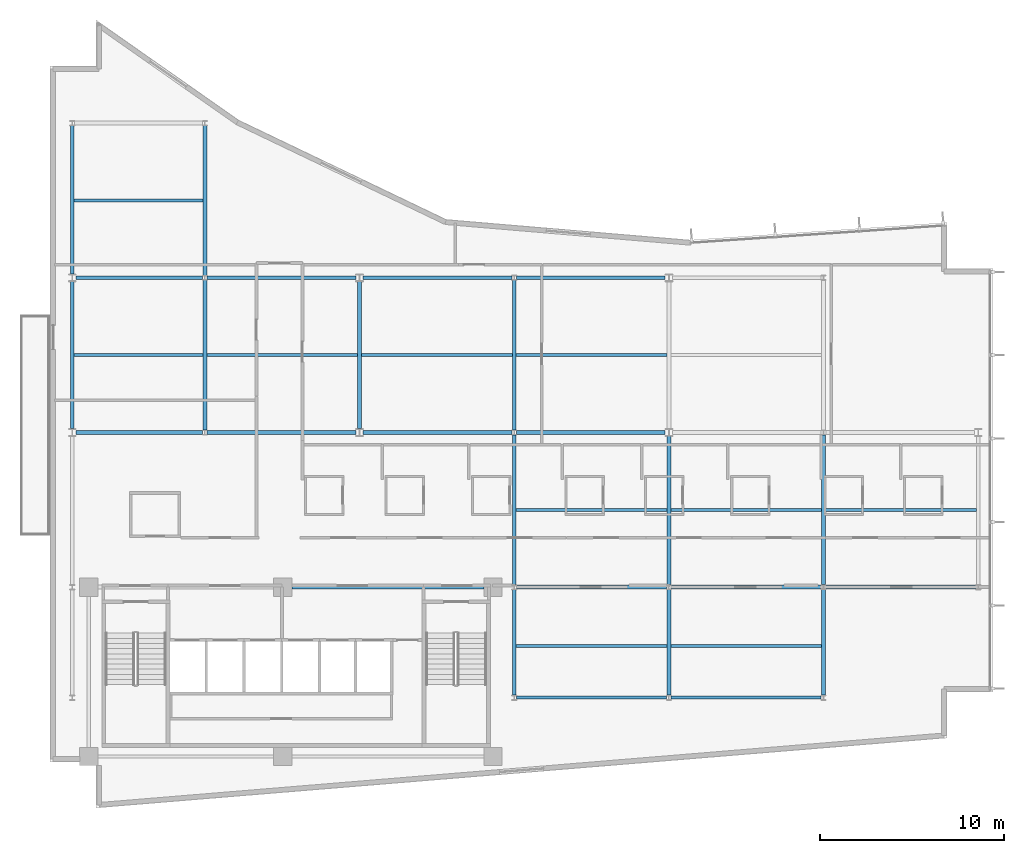
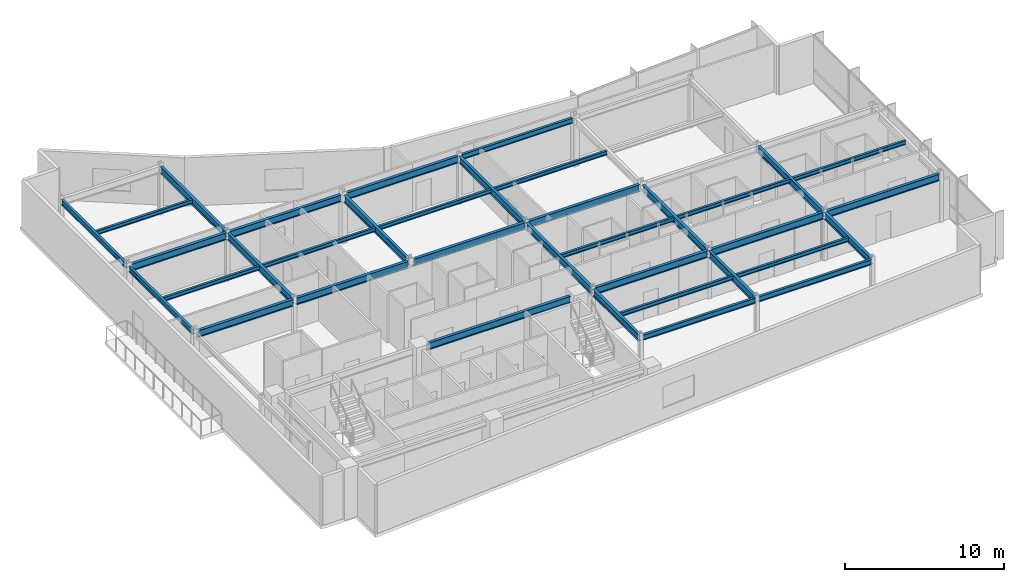
# One storey, part 4 of 17: 36 beams.
"""IFC4 building model written with IfcOpenShell, lengths in metres."""

from ifc_helpers import new_model, si_unit, direction, frame, origin, origin_2d, place, context, subcontext, project, spatial, i_section, extrude, material, material_profile, profile_set, type_object, element, save


model = new_model("IFC4")

# Units and contexts
model_context = context("Model", 3, precision=1e-05, world=origin(), true_north=direction((0.0, 1.0)))
body_context = subcontext(model_context, "Body", "Model", "MODEL_VIEW")
ifc_project = project(units=[si_unit("LENGTHUNIT", "METRE"), si_unit("AREAUNIT", "SQUARE_METRE"), si_unit("VOLUMEUNIT", "CUBIC_METRE"), si_unit("PLANEANGLEUNIT", "RADIAN"), si_unit("MASSUNIT", "GRAM", prefix="KILO")], contexts=[model_context])

# Site, building, storey
site_placement = place(None, origin())
site = spatial("IfcSite", under=ifc_project, at=site_placement, CompositionType="ELEMENT")
building_placement = place(site_placement, origin())
building = spatial("IfcBuilding", under=site, at=building_placement, Name="Varnakote Quay Hospital", CompositionType="ELEMENT")
storey_placement = place(building_placement, frame((0.0, 0.0, 227.64990234375)))
storey = spatial("IfcBuildingStorey", under=building, at=storey_placement, Name="L56", CompositionType="ELEMENT", Elevation=227.64990234375)

# Beams
ifc_material_1 = material(Name="Structural steel AS/NZS 3679.1 Grade 350 L0 (fy 340 MPa)", Category="steel")
ifc_material_profile_1 = material_profile(ifc_material_1, i_section(OverallWidth=0.208984375, OverallDepth=0.528076171875, WebThickness=0.009521484375, FlangeThickness=0.01318359375, FilletRadius=0.013916015625, at=origin_2d()), Name="530UB82.0")
ifc_profile_set_1 = profile_set([ifc_material_profile_1], Name="Structural steel AS/NZS 3679.1 Grade 350 L0 (fy 340 MPa)")
beam_type_1 = type_object("IfcBeamType", Name="BM-STL-530UB82-0", PredefinedType="BEAM", material=ifc_profile_set_1)
beam_1_placement = place(storey_placement, frame((8.39990234375, 20.530029296875, 3.446044921875), z_axis=(0.0, 1.0, 0.0), x_axis=(-1.0, 0.0, 0.0)))
element("IfcBeam", 1, at=beam_1_placement, inside=storey, type_object=beam_type_1, Name="L56 Primary Tie Beam", PredefinedType="BEAM", context=body_context, shape_type="SweptSolid", body=[
    extrude(i_section(OverallWidth=0.208984375, OverallDepth=0.528076171875, WebThickness=0.009521484375, FlangeThickness=0.01318359375, FilletRadius=0.013916015625, at=origin_2d()), origin(), (0.0, 0.0, 1.0), 8.139892578125),
])
beam_2_placement = place(storey_placement, frame((8.39990234375, 28.929931640625, 3.446044921875), z_axis=(0.0, 1.0, 0.0), x_axis=(-1.0, 0.0, 0.0)))
element("IfcBeam", 2, at=beam_2_placement, inside=storey, type_object=beam_type_1, Name="L56 Primary Tie Beam", PredefinedType="BEAM", context=body_context, shape_type="SweptSolid", body=[
    extrude(i_section(OverallWidth=0.208984375, OverallDepth=0.528076171875, WebThickness=0.009521484375, FlangeThickness=0.01318359375, FilletRadius=0.013916015625, at=origin_2d()), origin(), (0.0, 0.0, 1.0), 8.14013671875),
])
beam_3_placement = place(storey_placement, frame((16.800048828125, 20.60205078125, 3.446044921875), z_axis=(0.0, 1.0, 0.0), x_axis=(-1.0, 0.0, 0.0)))
element("IfcBeam", 3, at=beam_3_placement, inside=storey, type_object=beam_type_1, Name="L56 Primary Tie Beam", PredefinedType="BEAM", context=body_context, shape_type="SweptSolid", body=[
    extrude(i_section(OverallWidth=0.208984375, OverallDepth=0.528076171875, WebThickness=0.009521484375, FlangeThickness=0.01318359375, FilletRadius=0.013916015625, at=origin_2d()), origin(), (0.0, 0.0, 1.0), 7.995849609375),
])
beam_4_placement = place(storey_placement, frame((25.199951171875, 6.1298828125, 3.446044921875), z_axis=(0.0, 1.0, 0.0), x_axis=(-1.0, 0.0, 0.0)))
element("IfcBeam", 4, at=beam_4_placement, inside=storey, type_object=beam_type_1, Name="L56 Primary Tie Beam", PredefinedType="BEAM", context=body_context, shape_type="SweptSolid", body=[
    extrude(i_section(OverallWidth=0.208984375, OverallDepth=0.528076171875, WebThickness=0.009521484375, FlangeThickness=0.01318359375, FilletRadius=0.013916015625, at=origin_2d()), origin(), (0.0, 0.0, 1.0), 5.740234375),
])
beam_5_placement = place(storey_placement, frame((25.199951171875, 12.1298828125, 3.446044921875), z_axis=(0.0, 1.0, 0.0), x_axis=(-1.0, 0.0, 0.0)))
element("IfcBeam", 5, at=beam_5_placement, inside=storey, type_object=beam_type_1, Name="L56 Primary Tie Beam", PredefinedType="BEAM", context=body_context, shape_type="SweptSolid", body=[
    extrude(i_section(OverallWidth=0.208984375, OverallDepth=0.528076171875, WebThickness=0.009521484375, FlangeThickness=0.01318359375, FilletRadius=0.013916015625, at=origin_2d()), origin(), (0.0, 0.0, 1.0), 8.14013671875),
])
beam_6_placement = place(storey_placement, frame((25.199951171875, 20.530029296875, 3.446044921875), z_axis=(0.0, 1.0, 0.0), x_axis=(-1.0, 0.0, 0.0)))
element("IfcBeam", 6, at=beam_6_placement, inside=storey, type_object=beam_type_1, Name="L56 Primary Tie Beam", PredefinedType="BEAM", context=body_context, shape_type="SweptSolid", body=[
    extrude(i_section(OverallWidth=0.208984375, OverallDepth=0.528076171875, WebThickness=0.009521484375, FlangeThickness=0.01318359375, FilletRadius=0.013916015625, at=origin_2d()), origin(), (0.0, 0.0, 1.0), 8.139892578125),
])
beam_7_placement = place(storey_placement, frame((33.60009765625, 6.1298828125, 3.446044921875), z_axis=(0.0, 1.0, 0.0), x_axis=(-1.0, 0.0, 0.0)))
element("IfcBeam", 7, at=beam_7_placement, inside=storey, type_object=beam_type_1, Name="L56 Primary Tie Beam", PredefinedType="BEAM", context=body_context, shape_type="SweptSolid", body=[
    extrude(i_section(OverallWidth=0.208984375, OverallDepth=0.528076171875, WebThickness=0.009521484375, FlangeThickness=0.01318359375, FilletRadius=0.013916015625, at=origin_2d()), origin(), (0.0, 0.0, 1.0), 5.740234375),
])
beam_8_placement = place(storey_placement, frame((33.60009765625, 12.1298828125, 3.446044921875), z_axis=(0.0, 1.0, 0.0), x_axis=(-1.0, 0.0, 0.0)))
element("IfcBeam", 8, at=beam_8_placement, inside=storey, type_object=beam_type_1, Name="L56 Primary Tie Beam", PredefinedType="BEAM", context=body_context, shape_type="SweptSolid", body=[
    extrude(i_section(OverallWidth=0.208984375, OverallDepth=0.528076171875, WebThickness=0.009521484375, FlangeThickness=0.01318359375, FilletRadius=0.013916015625, at=origin_2d()), origin(), (0.0, 0.0, 1.0), 8.068115234375),
])
beam_9_placement = place(storey_placement, frame((42.0, 6.1298828125, 3.446044921875), z_axis=(0.0, 1.0, 0.0), x_axis=(-1.0, 0.0, 0.0)))
element("IfcBeam", 9, at=beam_9_placement, inside=storey, type_object=beam_type_1, Name="L56 Primary Tie Beam", PredefinedType="BEAM", context=body_context, shape_type="SweptSolid", body=[
    extrude(i_section(OverallWidth=0.208984375, OverallDepth=0.528076171875, WebThickness=0.009521484375, FlangeThickness=0.01318359375, FilletRadius=0.013916015625, at=origin_2d()), origin(), (0.0, 0.0, 1.0), 5.740234375),
])
beam_10_placement = place(storey_placement, frame((42.0, 12.1298828125, 3.446044921875), z_axis=(0.0, 1.0, 0.0), x_axis=(-1.0, 0.0, 0.0)))
element("IfcBeam", 10, at=beam_10_placement, inside=storey, type_object=beam_type_1, Name="L56 Primary Tie Beam", PredefinedType="BEAM", context=body_context, shape_type="SweptSolid", body=[
    extrude(i_section(OverallWidth=0.208984375, OverallDepth=0.528076171875, WebThickness=0.009521484375, FlangeThickness=0.01318359375, FilletRadius=0.013916015625, at=origin_2d()), origin(), (0.0, 0.0, 1.0), 8.14013671875),
])
ifc_material_2 = material(Name="Structural steel AS/NZS 3679.1 Grade 350 L0 (fy 340 MPa)", Category="steel")
ifc_material_profile_2 = material_profile(ifc_material_2, i_section(OverallWidth=0.208984375, OverallDepth=0.532958984375, WebThickness=0.01025390625, FlangeThickness=0.015625, FilletRadius=0.013916015625, at=origin_2d()), Name="530UB92.4")
ifc_profile_set_2 = profile_set([ifc_material_profile_2], Name="Structural steel AS/NZS 3679.1 Grade 350 L0 (fy 340 MPa)")
beam_type_2 = type_object("IfcBeamType", Name="BM-STL-530UB92-4", PredefinedType="BEAM", material=ifc_profile_set_2)
beam_11_placement = place(storey_placement, frame((13.1201171875, 12.0, 3.443603515625), z_axis=(1.0, 0.0, 0.0), x_axis=(0.0, 1.0, 0.0)))
element("IfcBeam", 11, at=beam_11_placement, inside=storey, type_object=beam_type_2, Name="L56 Primary Floor Beam", PredefinedType="BEAM", context=body_context, shape_type="SweptSolid", body=[
    extrude(i_section(OverallWidth=0.208984375, OverallDepth=0.532958984375, WebThickness=0.01025390625, FlangeThickness=0.015625, FilletRadius=0.013916015625, at=origin_2d()), origin(), (0.0, 0.0, 1.0), 10.429931640625),
])
for number, where, z_axis, x_axis, name in (
    (12, (25.327880859375, 12.0, 3.443603515625), (1.0, 0.0, 0.0), (0.0, 1.0, 0.0), "L56 Primary Floor Beam"),
    (13, (33.72802734375, 12.0, 3.443603515625), (1.0, 0.0, 0.0), (0.0, 1.0, 0.0), "L56 Primary Floor Beam"),
    (14, (42.1279296875, 12.0, 3.443603515625), (1.0, 0.0, 0.0), (0.0, 1.0, 0.0), "L56 Primary Floor Beam"),
):
    element("IfcBeam", number, at=place(storey_placement, frame(where, z_axis=z_axis, x_axis=x_axis)), inside=storey, type_object=beam_type_2, Name=name, PredefinedType="BEAM", context=body_context, shape_type="SweptSolid", body=[
        extrude(i_section(OverallWidth=0.208984375, OverallDepth=0.532958984375, WebThickness=0.01025390625, FlangeThickness=0.015625, FilletRadius=0.013916015625, at=origin_2d()), origin(), (0.0, 0.0, 1.0), 8.14404296875),
    ])
beam_12_placement = place(storey_placement, frame((1.39990234375, 20.39990234375, 3.443603515625), z_axis=(1.0, 0.0, 0.0), x_axis=(0.0, 1.0, 0.0)))
element("IfcBeam", 15, at=beam_12_placement, inside=storey, type_object=beam_type_2, Name="L56 Primary Floor Beam", PredefinedType="BEAM", context=body_context, shape_type="SweptSolid", body=[
    extrude(i_section(OverallWidth=0.208984375, OverallDepth=0.532958984375, WebThickness=0.01025390625, FlangeThickness=0.015625, FilletRadius=0.013916015625, at=origin_2d()), origin(), (0.0, 0.0, 1.0), 6.8720703125),
])
for number, where, z_axis, x_axis, name in (
    (16, (8.528076171875, 20.39990234375, 3.443603515625), (1.0, 0.0, 0.0), (0.0, 1.0, 0.0), "L56 Primary Floor Beam"),
    (17, (17.0, 20.39990234375, 3.443603515625), (1.0, 0.0, 0.0), (0.0, 1.0, 0.0), "L56 Primary Floor Beam"),
    (18, (25.327880859375, 20.39990234375, 3.443603515625), (1.0, 0.0, 0.0), (0.0, 1.0, 0.0), "L56 Primary Floor Beam"),
):
    element("IfcBeam", number, at=place(storey_placement, frame(where, z_axis=z_axis, x_axis=x_axis)), inside=storey, type_object=beam_type_2, Name=name, PredefinedType="BEAM", context=body_context, shape_type="SweptSolid", body=[
        extrude(i_section(OverallWidth=0.208984375, OverallDepth=0.532958984375, WebThickness=0.01025390625, FlangeThickness=0.015625, FilletRadius=0.013916015625, at=origin_2d()), origin(), (0.0, 0.0, 1.0), 8.072021484375),
    ])
beam_13_placement = place(storey_placement, frame((1.39990234375, 28.800048828125, 3.443603515625), z_axis=(1.0, 0.0, 0.0), x_axis=(0.0, 1.0, 0.0)))
element("IfcBeam", 19, at=beam_13_placement, inside=storey, type_object=beam_type_2, Name="L56 Primary Floor Beam", PredefinedType="BEAM", context=body_context, shape_type="SweptSolid", body=[
    extrude(i_section(OverallWidth=0.208984375, OverallDepth=0.532958984375, WebThickness=0.01025390625, FlangeThickness=0.015625, FilletRadius=0.013916015625, at=origin_2d()), origin(), (0.0, 0.0, 1.0), 6.8720703125),
])
for number, where, z_axis, x_axis, name in (
    (20, (8.528076171875, 28.800048828125, 3.443603515625), (1.0, 0.0, 0.0), (0.0, 1.0, 0.0), "L56 Primary Floor Beam"),
    (21, (17.0, 28.800048828125, 3.443603515625), (1.0, 0.0, 0.0), (0.0, 1.0, 0.0), "L56 Primary Floor Beam"),
):
    element("IfcBeam", number, at=place(storey_placement, frame(where, z_axis=z_axis, x_axis=x_axis)), inside=storey, type_object=beam_type_2, Name=name, PredefinedType="BEAM", context=body_context, shape_type="SweptSolid", body=[
        extrude(i_section(OverallWidth=0.208984375, OverallDepth=0.532958984375, WebThickness=0.01025390625, FlangeThickness=0.015625, FilletRadius=0.013916015625, at=origin_2d()), origin(), (0.0, 0.0, 1.0), 8.072021484375),
    ])
ifc_material_3 = material(Name="Structural steel AS/NZS 3679.1 Grade 350 L0 (fy 340 MPa)", Category="steel")
ifc_material_profile_3 = material_profile(ifc_material_3, i_section(OverallWidth=0.166015625, OverallDepth=0.306884765625, WebThickness=0.006591796875, FlangeThickness=0.01171875, FilletRadius=0.011474609375, at=origin_2d()), Name="310UB46.2")
ifc_profile_set_3 = profile_set([ifc_material_profile_3], Name="Structural steel AS/NZS 3679.1 Grade 350 L0 (fy 340 MPa)")
beam_type_3 = type_object("IfcBeamType", Name="JST-STL-310UB46-2", PredefinedType="JOIST", material=ifc_profile_set_3)
beam_14_placement = place(storey_placement, frame((25.304443359375, 8.800048828125, 3.556640625), z_axis=(1.0, 0.0, 0.0), x_axis=(0.0, 1.0, 0.0)))
element("IfcBeam", 22, at=beam_14_placement, inside=storey, type_object=beam_type_3, Name="L56 Composite Floor Joist", PredefinedType="JOIST", context=body_context, shape_type="SweptSolid", body=[
    extrude(i_section(OverallWidth=0.166015625, OverallDepth=0.306884765625, WebThickness=0.006591796875, FlangeThickness=0.01171875, FilletRadius=0.011474609375, at=origin_2d()), origin(), (0.0, 0.0, 1.0), 8.191162109375),
])
beam_15_placement = place(storey_placement, frame((33.70458984375, 8.800048828125, 3.556640625), z_axis=(1.0, 0.0, 0.0), x_axis=(0.0, 1.0, 0.0)))
element("IfcBeam", 23, at=beam_15_placement, inside=storey, type_object=beam_type_3, Name="L56 Composite Floor Joist", PredefinedType="JOIST", context=body_context, shape_type="SweptSolid", body=[
    extrude(i_section(OverallWidth=0.166015625, OverallDepth=0.306884765625, WebThickness=0.006591796875, FlangeThickness=0.01171875, FilletRadius=0.011474609375, at=origin_2d()), origin(), (0.0, 0.0, 1.0), 8.19091796875),
])
beam_16_placement = place(storey_placement, frame((25.304443359375, 16.199951171875, 3.556640625), z_axis=(1.0, 0.0, 0.0), x_axis=(0.0, 1.0, 0.0)))
element("IfcBeam", 24, at=beam_16_placement, inside=storey, type_object=beam_type_3, Name="L56 Composite Floor Joist", PredefinedType="JOIST", context=body_context, shape_type="SweptSolid", body=[
    extrude(i_section(OverallWidth=0.166015625, OverallDepth=0.306884765625, WebThickness=0.006591796875, FlangeThickness=0.01171875, FilletRadius=0.011474609375, at=origin_2d()), origin(), (0.0, 0.0, 1.0), 8.191162109375),
])
for number, where, z_axis, x_axis, name in (
    (25, (33.70458984375, 16.199951171875, 3.556640625), (1.0, 0.0, 0.0), (0.0, 1.0, 0.0), "L56 Composite Floor Joist"),
    (26, (42.1044921875, 16.199951171875, 3.556640625), (1.0, 0.0, 0.0), (0.0, 1.0, 0.0), "L56 Composite Floor Joist"),
):
    element("IfcBeam", number, at=place(storey_placement, frame(where, z_axis=z_axis, x_axis=x_axis)), inside=storey, type_object=beam_type_3, Name=name, PredefinedType="JOIST", context=body_context, shape_type="SweptSolid", body=[
        extrude(i_section(OverallWidth=0.166015625, OverallDepth=0.306884765625, WebThickness=0.006591796875, FlangeThickness=0.01171875, FilletRadius=0.011474609375, at=origin_2d()), origin(), (0.0, 0.0, 1.0), 8.19091796875),
    ])
beam_17_placement = place(storey_placement, frame((1.2890625, 24.60009765625, 3.556640625), z_axis=(1.0, 0.0, 0.0), x_axis=(0.0, 1.0, 0.0)))
element("IfcBeam", 27, at=beam_17_placement, inside=storey, type_object=beam_type_3, Name="L56 Composite Floor Joist", PredefinedType="JOIST", context=body_context, shape_type="SweptSolid", body=[
    extrude(i_section(OverallWidth=0.166015625, OverallDepth=0.306884765625, WebThickness=0.006591796875, FlangeThickness=0.01171875, FilletRadius=0.011474609375, at=origin_2d()), origin(), (0.0, 0.0, 1.0), 7.00634765625),
])
beam_18_placement = place(storey_placement, frame((8.50439453125, 24.60009765625, 3.556640625), z_axis=(1.0, 0.0, 0.0), x_axis=(0.0, 1.0, 0.0)))
element("IfcBeam", 28, at=beam_18_placement, inside=storey, type_object=beam_type_3, Name="L56 Composite Floor Joist", PredefinedType="JOIST", context=body_context, shape_type="SweptSolid", body=[
    extrude(i_section(OverallWidth=0.166015625, OverallDepth=0.306884765625, WebThickness=0.006591796875, FlangeThickness=0.01171875, FilletRadius=0.011474609375, at=origin_2d()), origin(), (0.0, 0.0, 1.0), 8.191162109375),
])
beam_19_placement = place(storey_placement, frame((16.904541015625, 24.60009765625, 3.556640625), z_axis=(1.0, 0.0, 0.0), x_axis=(0.0, 1.0, 0.0)))
element("IfcBeam", 29, at=beam_19_placement, inside=storey, type_object=beam_type_3, Name="L56 Composite Floor Joist", PredefinedType="JOIST", context=body_context, shape_type="SweptSolid", body=[
    extrude(i_section(OverallWidth=0.166015625, OverallDepth=0.306884765625, WebThickness=0.006591796875, FlangeThickness=0.01171875, FilletRadius=0.011474609375, at=origin_2d()), origin(), (0.0, 0.0, 1.0), 8.19091796875),
])
beam_20_placement = place(storey_placement, frame((25.304443359375, 24.60009765625, 3.556640625), z_axis=(1.0, 0.0, 0.0), x_axis=(0.0, 1.0, 0.0)))
element("IfcBeam", 30, at=beam_20_placement, inside=storey, type_object=beam_type_3, Name="L56 Composite Floor Joist", PredefinedType="JOIST", context=body_context, shape_type="SweptSolid", body=[
    extrude(i_section(OverallWidth=0.166015625, OverallDepth=0.306884765625, WebThickness=0.006591796875, FlangeThickness=0.01171875, FilletRadius=0.011474609375, at=origin_2d()), origin(), (0.0, 0.0, 1.0), 8.191162109375),
])
beam_21_placement = place(storey_placement, frame((1.2890625, 33.0, 3.556640625), z_axis=(1.0, 0.0, 0.0), x_axis=(0.0, 1.0, 0.0)))
element("IfcBeam", 31, at=beam_21_placement, inside=storey, type_object=beam_type_3, Name="L56 Composite Floor Joist", PredefinedType="JOIST", context=body_context, shape_type="SweptSolid", body=[
    extrude(i_section(OverallWidth=0.166015625, OverallDepth=0.306884765625, WebThickness=0.006591796875, FlangeThickness=0.01171875, FilletRadius=0.011474609375, at=origin_2d()), origin(), (0.0, 0.0, 1.0), 7.00634765625),
])
ifc_material_4 = material(Name="Structural steel AS/NZS 3679.1 Grade 350 L0 (fy 340 MPa)", Category="steel")
ifc_material_profile_4 = material_profile(ifc_material_4, i_section(OverallWidth=0.177978515625, OverallDepth=0.403076171875, WebThickness=0.007568359375, FlangeThickness=0.010986328125, FilletRadius=0.011474609375, at=origin_2d()), Name="410UB53.7")
ifc_profile_set_4 = profile_set([ifc_material_profile_4], Name="Structural steel AS/NZS 3679.1 Grade 350 L0 (fy 340 MPa)")
beam_type_4 = type_object("IfcBeamType", Name="SPN-STL-410UB53-7", PredefinedType="SPANDREL", material=ifc_profile_set_4)
beam_22_placement = place(storey_placement, frame((1.199951171875, 20.60205078125, 3.508544921875), z_axis=(0.0, 1.0, 0.0), x_axis=(-1.0, 0.0, 0.0)))
element("IfcBeam", 32, at=beam_22_placement, inside=storey, type_object=beam_type_4, Name="L56 Perimeter Spandrel Beam", PredefinedType="SPANDREL", context=body_context, shape_type="SweptSolid", body=[
    extrude(i_section(OverallWidth=0.177978515625, OverallDepth=0.403076171875, WebThickness=0.007568359375, FlangeThickness=0.010986328125, FilletRadius=0.011474609375, at=origin_2d()), origin(), (0.0, 0.0, 1.0), 7.995849609375),
])
beam_23_placement = place(storey_placement, frame((1.199951171875, 29.001953125, 3.508544921875), z_axis=(0.0, 1.0, 0.0), x_axis=(-1.0, 0.0, 0.0)))
element("IfcBeam", 33, at=beam_23_placement, inside=storey, type_object=beam_type_4, Name="L56 Perimeter Spandrel Beam", PredefinedType="SPANDREL", context=body_context, shape_type="SweptSolid", body=[
    extrude(i_section(OverallWidth=0.177978515625, OverallDepth=0.403076171875, WebThickness=0.007568359375, FlangeThickness=0.010986328125, FilletRadius=0.011474609375, at=origin_2d()), origin(), (0.0, 0.0, 1.0), 8.068115234375),
])
ifc_material_5 = material(Name="Structural steel AS/NZS 3679.1 Grade 350 L0 (fy 340 MPa)", Category="steel")
ifc_material_profile_5 = material_profile(ifc_material_5, i_section(OverallWidth=0.177978515625, OverallDepth=0.406005859375, WebThickness=0.0078125, FlangeThickness=0.0126953125, FilletRadius=0.011474609375, at=origin_2d()), Name="410UB59.7")
ifc_profile_set_5 = profile_set([ifc_material_profile_5], Name="Structural steel AS/NZS 3679.1 Grade 350 L0 (fy 340 MPa)")
beam_type_5 = type_object("IfcBeamType", Name="SPN-STL-410UB59-7", PredefinedType="SPANDREL", material=ifc_profile_set_5)
for number, where, z_axis, x_axis, name in (
    (34, (25.327880859375, 6.0, 3.507080078125), (1.0, 0.0, 0.0), (0.0, 1.0, 0.0), "L56 Perimeter Spandrel Beam"),
    (35, (33.72802734375, 6.0, 3.507080078125), (1.0, 0.0, 0.0), (0.0, 1.0, 0.0), "L56 Perimeter Spandrel Beam"),
):
    element("IfcBeam", number, at=place(storey_placement, frame(where, z_axis=z_axis, x_axis=x_axis)), inside=storey, type_object=beam_type_5, Name=name, PredefinedType="SPANDREL", context=body_context, shape_type="SweptSolid", body=[
        extrude(i_section(OverallWidth=0.177978515625, OverallDepth=0.406005859375, WebThickness=0.0078125, FlangeThickness=0.0126953125, FilletRadius=0.011474609375, at=origin_2d()), origin(), (0.0, 0.0, 1.0), 8.14404296875),
    ])
beam_24_placement = place(storey_placement, frame((25.327880859375, 28.800048828125, 3.507080078125), z_axis=(1.0, 0.0, 0.0), x_axis=(0.0, 1.0, 0.0)))
element("IfcBeam", 36, at=beam_24_placement, inside=storey, type_object=beam_type_5, Name="L56 Perimeter Spandrel Beam", PredefinedType="SPANDREL", context=body_context, shape_type="SweptSolid", body=[
    extrude(i_section(OverallWidth=0.177978515625, OverallDepth=0.406005859375, WebThickness=0.0078125, FlangeThickness=0.0126953125, FilletRadius=0.011474609375, at=origin_2d()), origin(), (0.0, 0.0, 1.0), 8.072021484375),
])

save(model, "model.ifc")
